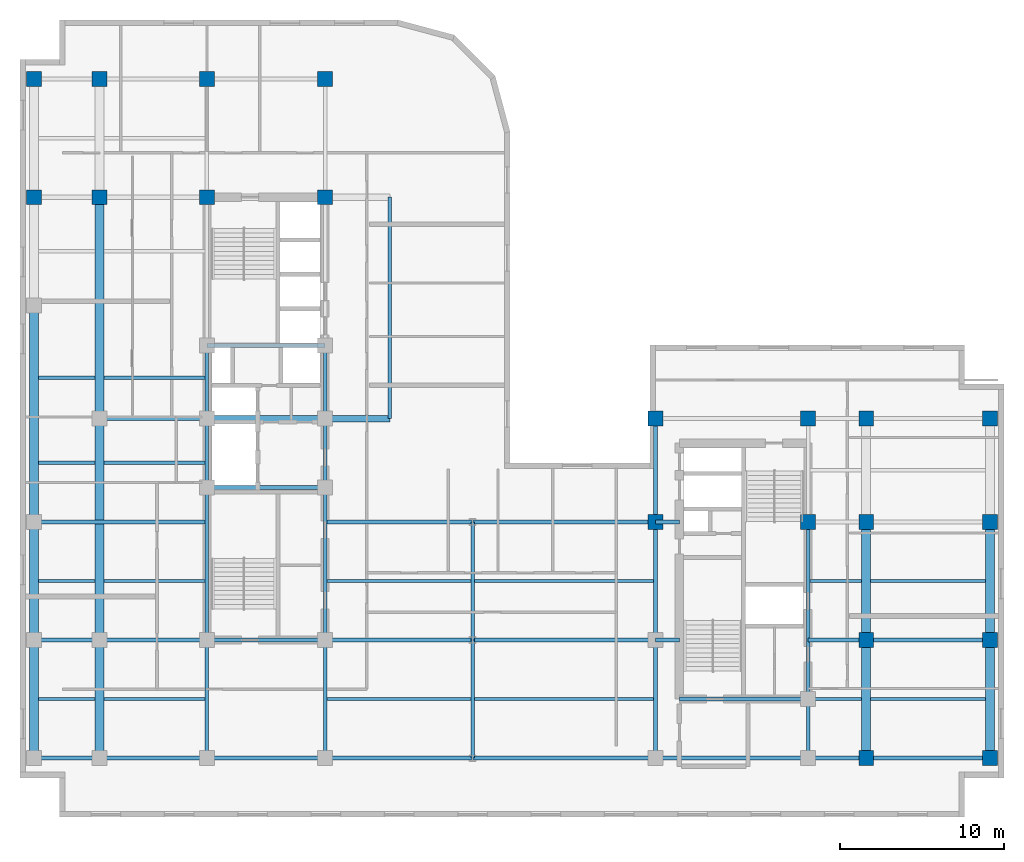
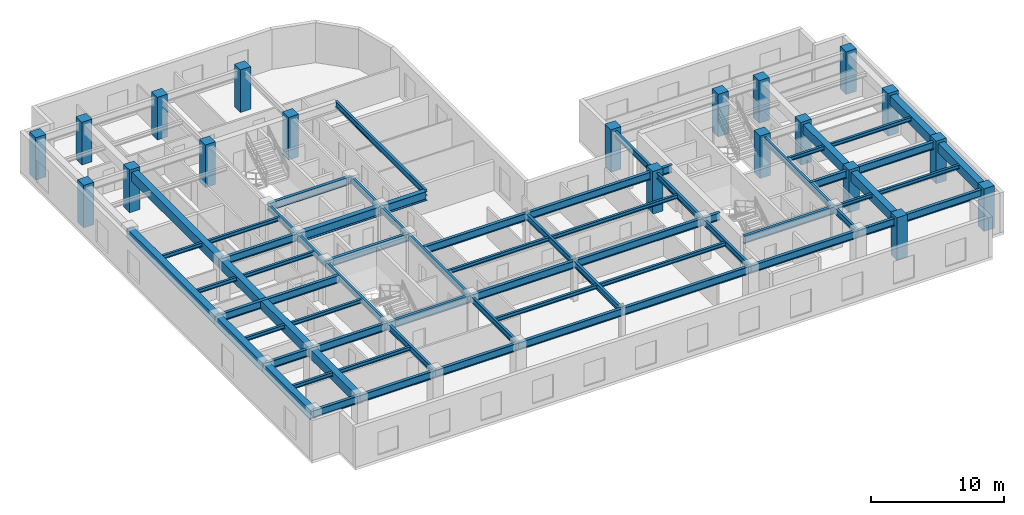
# One storey, part 2 of 11: 67 beams, 20 columns.
"""IFC4 building model written with IfcOpenShell, lengths in metres."""

from ifc_helpers import new_model, entity, si_unit, converted_unit, direction, frame, origin_with_axes, origin_2d_with_axis, place, context, subcontext, project, spatial, rectangle, i_section, extrude, material, material_profile, profile_set, type_object, element, save


model = new_model("IFC4")

# Units and contexts
model_context = context("Model", 3, precision=1e-05, world=origin_with_axes(), true_north=direction((0.0, 1.0)))
body_context = subcontext(model_context, "Body", "Model", "MODEL_VIEW")
ifc_project = project(units=[si_unit("LENGTHUNIT", "METRE"), si_unit("AREAUNIT", "SQUARE_METRE"), si_unit("VOLUMEUNIT", "CUBIC_METRE"), converted_unit("PLANEANGLEUNIT", "DEGREE", entity("IfcPlaneAngleMeasure", 0.017453292519943295), si_unit("PLANEANGLEUNIT", "RADIAN"), dimensions=[0, 0, 0, 0, 0, 0, 0]), si_unit("MASSUNIT", "GRAM", prefix="KILO"), si_unit("THERMODYNAMICTEMPERATUREUNIT", "KELVIN")], contexts=[model_context])

# Site, building, storey
site_placement = place(None, origin_with_axes())
site = spatial("IfcSite", under=ifc_project, at=site_placement, CompositionType="ELEMENT")
building_placement = place(site_placement, origin_with_axes())
building = spatial("IfcBuilding", under=site, at=building_placement, Name="Varnlund Millrace Tower", CompositionType="ELEMENT")
storey_placement = place(building_placement, frame((0.0, 0.0, 204.3), z_axis=(0.0, 0.0, 1.0), x_axis=(1.0, 0.0, 0.0)))
storey = spatial("IfcBuildingStorey", under=building, at=storey_placement, Name="L50", CompositionType="ELEMENT", Elevation=204.3)

# Columns
ifc_material_1 = material(Name="Concrete C70/85", Category="concrete")
ifc_material_profile_1 = material_profile(ifc_material_1, rectangle(XDim=0.9, YDim=0.9, at=origin_2d_with_axis()), Name="Concrete C70/85")
ifc_profile_set_1 = profile_set([ifc_material_profile_1], Name="Concrete C70/85")
column_type = type_object("IfcColumnType", Name="Type-Col-RC900-C70", PredefinedType="COLUMN", material=ifc_profile_set_1)
for number, where, z_axis, x_axis, name in (
    (1, (11.4, 37.8, 0.0), (0.0, 0.0, 1.0), (1.0, 0.0, 0.0), "Type-Col-RC900-C70"),
    (2, (11.4, 45.0, 0.0), (0.0, 0.0, 1.0), (1.0, 0.0, 0.0), "Type-Col-RC900-C70"),
    (3, (18.6, 37.8, 0.0), (0.0, 0.0, 1.0), (1.0, 0.0, 0.0), "Type-Col-RC900-C70"),
    (4, (18.6, 45.0, 0.0), (0.0, 0.0, 1.0), (1.0, 0.0, 0.0), "Type-Col-RC900-C70"),
    (5, (4.85, 37.8, 0.0), (0.0, 0.0, 1.0), (1.0, 0.0, 0.0), "Type-Col-RC900-C70"),
    (6, (4.85, 45.0, 0.0), (0.0, 0.0, 1.0), (1.0, 0.0, 0.0), "Type-Col-RC900-C70"),
    (7, (0.85, 37.8, 0.0), (0.0, 0.0, 1.0), (1.0, 0.0, 0.0), "Type-Col-RC900-C70"),
    (8, (0.85, 45.0, 0.0), (0.0, 0.0, 1.0), (1.0, 0.0, 0.0), "Type-Col-RC900-C70"),
    (9, (38.75, 18.0, 0.0), (0.0, 0.0, 1.0), (1.0, 0.0, 0.0), "Type-Col-RC900-C70"),
    (10, (38.75, 24.3, 0.0), (0.0, 0.0, 1.0), (1.0, 0.0, 0.0), "Type-Col-RC900-C70"),
    (11, (48.05, 18.0, 0.0), (0.0, 0.0, 1.0), (1.0, 0.0, 0.0), "Type-Col-RC900-C70"),
    (12, (48.05, 24.3, 0.0), (0.0, 0.0, 1.0), (1.0, 0.0, 0.0), "Type-Col-RC900-C70"),
    (13, (51.6, 3.6, 0.0), (0.0, 0.0, 1.0), (1.0, 0.0, 0.0), "Type-Col-RC900-C70"),
    (14, (51.6, 10.8, 0.0), (0.0, 0.0, 1.0), (1.0, 0.0, 0.0), "Type-Col-RC900-C70"),
    (15, (51.6, 18.0, 0.0), (0.0, 0.0, 1.0), (1.0, 0.0, 0.0), "Type-Col-RC900-C70"),
    (16, (51.6, 24.3, 0.0), (0.0, 0.0, 1.0), (1.0, 0.0, 0.0), "Type-Col-RC900-C70"),
    (17, (59.15, 3.6, 0.0), (0.0, 0.0, 1.0), (1.0, 0.0, 0.0), "Type-Col-RC900-C70"),
    (18, (59.15, 10.8, 0.0), (0.0, 0.0, 1.0), (1.0, 0.0, 0.0), "Type-Col-RC900-C70"),
    (19, (59.15, 18.0, 0.0), (0.0, 0.0, 1.0), (1.0, 0.0, 0.0), "Type-Col-RC900-C70"),
    (20, (59.15, 24.3, 0.0), (0.0, 0.0, 1.0), (1.0, 0.0, 0.0), "Type-Col-RC900-C70"),
):
    element("IfcColumn", number, at=place(storey_placement, frame(where, z_axis=z_axis, x_axis=x_axis)), inside=storey, type_object=column_type, Name=name, PredefinedType="COLUMN", context=body_context, shape_type="SweptSolid", body=[
        extrude(rectangle(XDim=0.9, YDim=0.9, at=origin_2d_with_axis()), origin_with_axes(), (0.0, 0.0, 1.0), 3.9),
    ])

# Beams
ifc_material_2 = material(Name="Steel ASTM A992 Grade 50", Category="steel")
ifc_material_profile_2 = material_profile(ifc_material_2, i_section(OverallWidth=0.209, OverallDepth=0.533, WebThickness=0.0102, FlangeThickness=0.0156, FilletRadius=0.014, at=origin_2d_with_axis()), Name="Steel ASTM A992 Grade 50")
ifc_profile_set_2 = profile_set([ifc_material_profile_2], Name="Steel ASTM A992 Grade 50")
beam_type_1 = type_object("IfcBeamType", Name="Type-Beam-W21X62", PredefinedType="BEAM", material=ifc_profile_set_2)
beam_1_placement = place(storey_placement, frame((22.55, 24.3, 3.3935), z_axis=(0.0, 1.0, 0.0), x_axis=(-1.0, 0.0, 0.0)))
element("IfcBeam", 21, at=beam_1_placement, inside=storey, type_object=beam_type_1, Name="Type-Beam-W21X62", PredefinedType="BEAM", context=body_context, shape_type="SweptSolid", body=[
    extrude(i_section(OverallWidth=0.209, OverallDepth=0.533, WebThickness=0.0102, FlangeThickness=0.0156, FilletRadius=0.014, at=origin_2d_with_axis()), origin_with_axes(), (0.0, 0.0, 1.0), 13.5),
])
ifc_material_profile_3 = material_profile(ifc_material_2, i_section(OverallWidth=0.214, OverallDepth=0.549, WebThickness=0.0147, FlangeThickness=0.0236, FilletRadius=0.015, at=origin_2d_with_axis()), Name="Steel ASTM A992 Grade 50")
ifc_profile_set_3 = profile_set([ifc_material_profile_3], Name="Steel ASTM A992 Grade 50")
beam_type_2 = type_object("IfcBeamType", Name="Type-Beam-W21X93", PredefinedType="BEAM", material=ifc_profile_set_3)
beam_2_placement = place(storey_placement, frame((11.4, 3.6, 3.3855), z_axis=(0.0, 1.0, 0.0), x_axis=(-1.0, 0.0, 0.0)))
element("IfcBeam", 22, at=beam_2_placement, inside=storey, type_object=beam_type_2, Name="Type-Beam-W21X93", PredefinedType="BEAM", context=body_context, shape_type="SweptSolid", body=[
    extrude(i_section(OverallWidth=0.214, OverallDepth=0.549, WebThickness=0.0147, FlangeThickness=0.0236, FilletRadius=0.015, at=origin_2d_with_axis()), origin_with_axes(), (0.0, 0.0, 1.0), 7.2),
])
beam_3_placement = place(storey_placement, frame((11.4, 10.8, 3.3855), z_axis=(0.0, 1.0, 0.0), x_axis=(-1.0, 0.0, 0.0)))
element("IfcBeam", 23, at=beam_3_placement, inside=storey, type_object=beam_type_2, Name="Type-Beam-W21X93", PredefinedType="BEAM", context=body_context, shape_type="SweptSolid", body=[
    extrude(i_section(OverallWidth=0.214, OverallDepth=0.549, WebThickness=0.0147, FlangeThickness=0.0236, FilletRadius=0.015, at=origin_2d_with_axis()), origin_with_axes(), (0.0, 0.0, 1.0), 9.3),
])
beam_4_placement = place(storey_placement, frame((11.4, 20.1, 3.3855), z_axis=(0.0, 1.0, 0.0), x_axis=(-1.0, 0.0, 0.0)))
element("IfcBeam", 24, at=beam_4_placement, inside=storey, type_object=beam_type_2, Name="Type-Beam-W21X93", PredefinedType="BEAM", context=body_context, shape_type="SweptSolid", body=[
    extrude(i_section(OverallWidth=0.214, OverallDepth=0.549, WebThickness=0.0147, FlangeThickness=0.0236, FilletRadius=0.015, at=origin_2d_with_axis()), origin_with_axes(), (0.0, 0.0, 1.0), 4.2),
])
beam_5_placement = place(storey_placement, frame((11.4, 24.3, 3.3855), z_axis=(0.0, 1.0, 0.0), x_axis=(-1.0, 0.0, 0.0)))
element("IfcBeam", 25, at=beam_5_placement, inside=storey, type_object=beam_type_2, Name="Type-Beam-W21X93", PredefinedType="BEAM", context=body_context, shape_type="SweptSolid", body=[
    extrude(i_section(OverallWidth=0.214, OverallDepth=0.549, WebThickness=0.0147, FlangeThickness=0.0236, FilletRadius=0.015, at=origin_2d_with_axis()), origin_with_axes(), (0.0, 0.0, 1.0), 4.45),
])
beam_6_placement = place(storey_placement, frame((18.6, 3.6, 3.3855), z_axis=(0.0, 1.0, 0.0), x_axis=(-1.0, 0.0, 0.0)))
element("IfcBeam", 26, at=beam_6_placement, inside=storey, type_object=beam_type_2, Name="Type-Beam-W21X93", PredefinedType="BEAM", context=body_context, shape_type="SweptSolid", body=[
    extrude(i_section(OverallWidth=0.214, OverallDepth=0.549, WebThickness=0.0147, FlangeThickness=0.0236, FilletRadius=0.015, at=origin_2d_with_axis()), origin_with_axes(), (0.0, 0.0, 1.0), 7.2),
])
beam_7_placement = place(storey_placement, frame((18.6, 10.8, 3.3855), z_axis=(0.0, 1.0, 0.0), x_axis=(-1.0, 0.0, 0.0)))
element("IfcBeam", 27, at=beam_7_placement, inside=storey, type_object=beam_type_2, Name="Type-Beam-W21X93", PredefinedType="BEAM", context=body_context, shape_type="SweptSolid", body=[
    extrude(i_section(OverallWidth=0.214, OverallDepth=0.549, WebThickness=0.0147, FlangeThickness=0.0236, FilletRadius=0.015, at=origin_2d_with_axis()), origin_with_axes(), (0.0, 0.0, 1.0), 9.3),
])
beam_8_placement = place(storey_placement, frame((18.6, 20.1, 3.3855), z_axis=(0.0, 1.0, 0.0), x_axis=(-1.0, 0.0, 0.0)))
element("IfcBeam", 28, at=beam_8_placement, inside=storey, type_object=beam_type_2, Name="Type-Beam-W21X93", PredefinedType="BEAM", context=body_context, shape_type="SweptSolid", body=[
    extrude(i_section(OverallWidth=0.214, OverallDepth=0.549, WebThickness=0.0147, FlangeThickness=0.0236, FilletRadius=0.015, at=origin_2d_with_axis()), origin_with_axes(), (0.0, 0.0, 1.0), 4.2),
])
beam_9_placement = place(storey_placement, frame((18.6, 24.3, 3.3855), z_axis=(0.0, 1.0, 0.0), x_axis=(-1.0, 0.0, 0.0)))
element("IfcBeam", 29, at=beam_9_placement, inside=storey, type_object=beam_type_2, Name="Type-Beam-W21X93", PredefinedType="BEAM", context=body_context, shape_type="SweptSolid", body=[
    extrude(i_section(OverallWidth=0.214, OverallDepth=0.549, WebThickness=0.0147, FlangeThickness=0.0236, FilletRadius=0.015, at=origin_2d_with_axis()), origin_with_axes(), (0.0, 0.0, 1.0), 4.45),
])
for number, where, z_axis, x_axis, name in (
    (30, (27.6, 3.6, 3.3855), (0.0, 1.0, 0.0), (-1.0, 0.0, 0.0), "Type-Beam-W21X93"),
    (31, (27.6, 10.8, 3.3855), (0.0, 1.0, 0.0), (-1.0, 0.0, 0.0), "Type-Beam-W21X93"),
    (32, (38.75, 3.6, 3.3855), (0.0, 1.0, 0.0), (-1.0, 0.0, 0.0), "Type-Beam-W21X93"),
    (33, (38.75, 10.8, 3.3855), (0.0, 1.0, 0.0), (-1.0, 0.0, 0.0), "Type-Beam-W21X93"),
):
    element("IfcBeam", number, at=place(storey_placement, frame(where, z_axis=z_axis, x_axis=x_axis)), inside=storey, type_object=beam_type_2, Name=name, PredefinedType="BEAM", context=body_context, shape_type="SweptSolid", body=[
        extrude(i_section(OverallWidth=0.214, OverallDepth=0.549, WebThickness=0.0147, FlangeThickness=0.0236, FilletRadius=0.015, at=origin_2d_with_axis()), origin_with_axes(), (0.0, 0.0, 1.0), 7.2),
    ])
beam_10_placement = place(storey_placement, frame((38.75, 18.0, 3.3855), z_axis=(0.0, 1.0, 0.0), x_axis=(-1.0, 0.0, 0.0)))
element("IfcBeam", 34, at=beam_10_placement, inside=storey, type_object=beam_type_2, Name="Type-Beam-W21X93", PredefinedType="BEAM", context=body_context, shape_type="SweptSolid", body=[
    extrude(i_section(OverallWidth=0.214, OverallDepth=0.549, WebThickness=0.0147, FlangeThickness=0.0236, FilletRadius=0.015, at=origin_2d_with_axis()), origin_with_axes(), (0.0, 0.0, 1.0), 6.3),
])
beam_11_placement = place(storey_placement, frame((48.05, 3.6, 3.3855), z_axis=(0.0, 1.0, 0.0), x_axis=(-1.0, 0.0, 0.0)))
element("IfcBeam", 35, at=beam_11_placement, inside=storey, type_object=beam_type_2, Name="Type-Beam-W21X93", PredefinedType="BEAM", context=body_context, shape_type="SweptSolid", body=[
    extrude(i_section(OverallWidth=0.214, OverallDepth=0.549, WebThickness=0.0147, FlangeThickness=0.0236, FilletRadius=0.015, at=origin_2d_with_axis()), origin_with_axes(), (0.0, 0.0, 1.0), 3.6),
])
beam_12_placement = place(storey_placement, frame((48.05, 7.2, 3.3855), z_axis=(0.0, 1.0, 0.0), x_axis=(-1.0, 0.0, 0.0)))
element("IfcBeam", 36, at=beam_12_placement, inside=storey, type_object=beam_type_2, Name="Type-Beam-W21X93", PredefinedType="BEAM", context=body_context, shape_type="SweptSolid", body=[
    extrude(i_section(OverallWidth=0.214, OverallDepth=0.549, WebThickness=0.0147, FlangeThickness=0.0236, FilletRadius=0.015, at=origin_2d_with_axis()), origin_with_axes(), (0.0, 0.0, 1.0), 10.8),
])
ifc_material_profile_4 = material_profile(ifc_material_2, i_section(OverallWidth=0.256, OverallDepth=0.693, WebThickness=0.0145, FlangeThickness=0.0236, FilletRadius=0.018, at=origin_2d_with_axis()), Name="Steel ASTM A992 Grade 50")
ifc_profile_set_4 = profile_set([ifc_material_profile_4], Name="Steel ASTM A992 Grade 50")
beam_type_3 = type_object("IfcBeamType", Name="Type-Girder-W27X114", PredefinedType="USERDEFINED", material=ifc_profile_set_4)
beam_13_placement = place(storey_placement, frame((0.85, 3.6, 3.3135), z_axis=(1.0, 0.0, 0.0), x_axis=(0.0, 1.0, 0.0)))
element("IfcBeam", 37, at=beam_13_placement, inside=storey, type_object=beam_type_3, Name="Type-Girder-W27X114", ObjectType="GIRDER", PredefinedType="USERDEFINED", context=body_context, shape_type="SweptSolid", body=[
    extrude(i_section(OverallWidth=0.256, OverallDepth=0.693, WebThickness=0.0145, FlangeThickness=0.0236, FilletRadius=0.018, at=origin_2d_with_axis()), origin_with_axes(), (0.0, 0.0, 1.0), 4.0),
])
beam_14_placement = place(storey_placement, frame((4.85, 3.6, 3.3135), z_axis=(1.0, 0.0, 0.0), x_axis=(0.0, 1.0, 0.0)))
element("IfcBeam", 38, at=beam_14_placement, inside=storey, type_object=beam_type_3, Name="Type-Girder-W27X114", ObjectType="GIRDER", PredefinedType="USERDEFINED", context=body_context, shape_type="SweptSolid", body=[
    extrude(i_section(OverallWidth=0.256, OverallDepth=0.693, WebThickness=0.0145, FlangeThickness=0.0236, FilletRadius=0.018, at=origin_2d_with_axis()), origin_with_axes(), (0.0, 0.0, 1.0), 6.55),
])
beam_15_placement = place(storey_placement, frame((11.4, 3.6, 3.3135), z_axis=(1.0, 0.0, 0.0), x_axis=(0.0, 1.0, 0.0)))
element("IfcBeam", 39, at=beam_15_placement, inside=storey, type_object=beam_type_3, Name="Type-Girder-W27X114", ObjectType="GIRDER", PredefinedType="USERDEFINED", context=body_context, shape_type="SweptSolid", body=[
    extrude(i_section(OverallWidth=0.256, OverallDepth=0.693, WebThickness=0.0145, FlangeThickness=0.0236, FilletRadius=0.018, at=origin_2d_with_axis()), origin_with_axes(), (0.0, 0.0, 1.0), 7.2),
])
beam_16_placement = place(storey_placement, frame((18.6, 3.6, 3.3135), z_axis=(1.0, 0.0, 0.0), x_axis=(0.0, 1.0, 0.0)))
element("IfcBeam", 40, at=beam_16_placement, inside=storey, type_object=beam_type_3, Name="Type-Girder-W27X114", ObjectType="GIRDER", PredefinedType="USERDEFINED", context=body_context, shape_type="SweptSolid", body=[
    extrude(i_section(OverallWidth=0.256, OverallDepth=0.693, WebThickness=0.0145, FlangeThickness=0.0236, FilletRadius=0.018, at=origin_2d_with_axis()), origin_with_axes(), (0.0, 0.0, 1.0), 9.0),
])
beam_17_placement = place(storey_placement, frame((27.6, 3.6, 3.3135), z_axis=(1.0, 0.0, 0.0), x_axis=(0.0, 1.0, 0.0)))
element("IfcBeam", 41, at=beam_17_placement, inside=storey, type_object=beam_type_3, Name="Type-Girder-W27X114", ObjectType="GIRDER", PredefinedType="USERDEFINED", context=body_context, shape_type="SweptSolid", body=[
    extrude(i_section(OverallWidth=0.256, OverallDepth=0.693, WebThickness=0.0145, FlangeThickness=0.0236, FilletRadius=0.018, at=origin_2d_with_axis()), origin_with_axes(), (0.0, 0.0, 1.0), 11.15),
])
beam_18_placement = place(storey_placement, frame((38.75, 3.6, 3.3135), z_axis=(1.0, 0.0, 0.0), x_axis=(0.0, 1.0, 0.0)))
element("IfcBeam", 42, at=beam_18_placement, inside=storey, type_object=beam_type_3, Name="Type-Girder-W27X114", ObjectType="GIRDER", PredefinedType="USERDEFINED", context=body_context, shape_type="SweptSolid", body=[
    extrude(i_section(OverallWidth=0.256, OverallDepth=0.693, WebThickness=0.0145, FlangeThickness=0.0236, FilletRadius=0.018, at=origin_2d_with_axis()), origin_with_axes(), (0.0, 0.0, 1.0), 9.3),
])
beam_19_placement = place(storey_placement, frame((48.05, 3.6, 3.3135), z_axis=(1.0, 0.0, 0.0), x_axis=(0.0, 1.0, 0.0)))
element("IfcBeam", 43, at=beam_19_placement, inside=storey, type_object=beam_type_3, Name="Type-Girder-W27X114", ObjectType="GIRDER", PredefinedType="USERDEFINED", context=body_context, shape_type="SweptSolid", body=[
    extrude(i_section(OverallWidth=0.256, OverallDepth=0.693, WebThickness=0.0145, FlangeThickness=0.0236, FilletRadius=0.018, at=origin_2d_with_axis()), origin_with_axes(), (0.0, 0.0, 1.0), 3.55),
])
beam_20_placement = place(storey_placement, frame((51.6, 3.6, 3.3135), z_axis=(1.0, 0.0, 0.0), x_axis=(0.0, 1.0, 0.0)))
element("IfcBeam", 44, at=beam_20_placement, inside=storey, type_object=beam_type_3, Name="Type-Girder-W27X114", ObjectType="GIRDER", PredefinedType="USERDEFINED", context=body_context, shape_type="SweptSolid", body=[
    extrude(i_section(OverallWidth=0.256, OverallDepth=0.693, WebThickness=0.0145, FlangeThickness=0.0236, FilletRadius=0.018, at=origin_2d_with_axis()), origin_with_axes(), (0.0, 0.0, 1.0), 7.55),
])
beam_21_placement = place(storey_placement, frame((40.2, 7.2, 3.3135), z_axis=(1.0, 0.0, 0.0), x_axis=(0.0, 1.0, 0.0)))
element("IfcBeam", 45, at=beam_21_placement, inside=storey, type_object=beam_type_3, Name="Type-Girder-W27X114", ObjectType="GIRDER", PredefinedType="USERDEFINED", context=body_context, shape_type="SweptSolid", body=[
    extrude(i_section(OverallWidth=0.256, OverallDepth=0.693, WebThickness=0.0145, FlangeThickness=0.0236, FilletRadius=0.018, at=origin_2d_with_axis()), origin_with_axes(), (0.0, 0.0, 1.0), 7.85),
])
beam_22_placement = place(storey_placement, frame((0.85, 10.8, 3.3135), z_axis=(1.0, 0.0, 0.0), x_axis=(0.0, 1.0, 0.0)))
element("IfcBeam", 46, at=beam_22_placement, inside=storey, type_object=beam_type_3, Name="Type-Girder-W27X114", ObjectType="GIRDER", PredefinedType="USERDEFINED", context=body_context, shape_type="SweptSolid", body=[
    extrude(i_section(OverallWidth=0.256, OverallDepth=0.693, WebThickness=0.0145, FlangeThickness=0.0236, FilletRadius=0.018, at=origin_2d_with_axis()), origin_with_axes(), (0.0, 0.0, 1.0), 4.0),
])
beam_23_placement = place(storey_placement, frame((4.85, 10.8, 3.3135), z_axis=(1.0, 0.0, 0.0), x_axis=(0.0, 1.0, 0.0)))
element("IfcBeam", 47, at=beam_23_placement, inside=storey, type_object=beam_type_3, Name="Type-Girder-W27X114", ObjectType="GIRDER", PredefinedType="USERDEFINED", context=body_context, shape_type="SweptSolid", body=[
    extrude(i_section(OverallWidth=0.256, OverallDepth=0.693, WebThickness=0.0145, FlangeThickness=0.0236, FilletRadius=0.018, at=origin_2d_with_axis()), origin_with_axes(), (0.0, 0.0, 1.0), 6.55),
])
beam_24_placement = place(storey_placement, frame((11.4, 10.8, 3.3135), z_axis=(1.0, 0.0, 0.0), x_axis=(0.0, 1.0, 0.0)))
element("IfcBeam", 48, at=beam_24_placement, inside=storey, type_object=beam_type_3, Name="Type-Girder-W27X114", ObjectType="GIRDER", PredefinedType="USERDEFINED", context=body_context, shape_type="SweptSolid", body=[
    extrude(i_section(OverallWidth=0.256, OverallDepth=0.693, WebThickness=0.0145, FlangeThickness=0.0236, FilletRadius=0.018, at=origin_2d_with_axis()), origin_with_axes(), (0.0, 0.0, 1.0), 7.2),
])
beam_25_placement = place(storey_placement, frame((18.6, 10.8, 3.3135), z_axis=(1.0, 0.0, 0.0), x_axis=(0.0, 1.0, 0.0)))
element("IfcBeam", 49, at=beam_25_placement, inside=storey, type_object=beam_type_3, Name="Type-Girder-W27X114", ObjectType="GIRDER", PredefinedType="USERDEFINED", context=body_context, shape_type="SweptSolid", body=[
    extrude(i_section(OverallWidth=0.256, OverallDepth=0.693, WebThickness=0.0145, FlangeThickness=0.0236, FilletRadius=0.018, at=origin_2d_with_axis()), origin_with_axes(), (0.0, 0.0, 1.0), 9.0),
])
beam_26_placement = place(storey_placement, frame((27.6, 10.8, 3.3135), z_axis=(1.0, 0.0, 0.0), x_axis=(0.0, 1.0, 0.0)))
element("IfcBeam", 50, at=beam_26_placement, inside=storey, type_object=beam_type_3, Name="Type-Girder-W27X114", ObjectType="GIRDER", PredefinedType="USERDEFINED", context=body_context, shape_type="SweptSolid", body=[
    extrude(i_section(OverallWidth=0.256, OverallDepth=0.693, WebThickness=0.0145, FlangeThickness=0.0236, FilletRadius=0.018, at=origin_2d_with_axis()), origin_with_axes(), (0.0, 0.0, 1.0), 11.15),
])
beam_27_placement = place(storey_placement, frame((38.75, 10.8, 3.3135), z_axis=(1.0, 0.0, 0.0), x_axis=(0.0, 1.0, 0.0)))
element("IfcBeam", 51, at=beam_27_placement, inside=storey, type_object=beam_type_3, Name="Type-Girder-W27X114", ObjectType="GIRDER", PredefinedType="USERDEFINED", context=body_context, shape_type="SweptSolid", body=[
    extrude(i_section(OverallWidth=0.256, OverallDepth=0.693, WebThickness=0.0145, FlangeThickness=0.0236, FilletRadius=0.018, at=origin_2d_with_axis()), origin_with_axes(), (0.0, 0.0, 1.0), 1.45),
])
beam_28_placement = place(storey_placement, frame((48.05, 10.8, 3.3135), z_axis=(1.0, 0.0, 0.0), x_axis=(0.0, 1.0, 0.0)))
element("IfcBeam", 52, at=beam_28_placement, inside=storey, type_object=beam_type_3, Name="Type-Girder-W27X114", ObjectType="GIRDER", PredefinedType="USERDEFINED", context=body_context, shape_type="SweptSolid", body=[
    extrude(i_section(OverallWidth=0.256, OverallDepth=0.693, WebThickness=0.0145, FlangeThickness=0.0236, FilletRadius=0.018, at=origin_2d_with_axis()), origin_with_axes(), (0.0, 0.0, 1.0), 3.55),
])
beam_29_placement = place(storey_placement, frame((51.6, 10.8, 3.3135), z_axis=(1.0, 0.0, 0.0), x_axis=(0.0, 1.0, 0.0)))
element("IfcBeam", 53, at=beam_29_placement, inside=storey, type_object=beam_type_3, Name="Type-Girder-W27X114", ObjectType="GIRDER", PredefinedType="USERDEFINED", context=body_context, shape_type="SweptSolid", body=[
    extrude(i_section(OverallWidth=0.256, OverallDepth=0.693, WebThickness=0.0145, FlangeThickness=0.0236, FilletRadius=0.018, at=origin_2d_with_axis()), origin_with_axes(), (0.0, 0.0, 1.0), 7.55),
])
beam_30_placement = place(storey_placement, frame((0.85, 18.0, 3.3135), z_axis=(1.0, 0.0, 0.0), x_axis=(0.0, 1.0, 0.0)))
element("IfcBeam", 54, at=beam_30_placement, inside=storey, type_object=beam_type_3, Name="Type-Girder-W27X114", ObjectType="GIRDER", PredefinedType="USERDEFINED", context=body_context, shape_type="SweptSolid", body=[
    extrude(i_section(OverallWidth=0.256, OverallDepth=0.693, WebThickness=0.0145, FlangeThickness=0.0236, FilletRadius=0.018, at=origin_2d_with_axis()), origin_with_axes(), (0.0, 0.0, 1.0), 10.55),
])
beam_31_placement = place(storey_placement, frame((18.6, 18.0, 3.3135), z_axis=(1.0, 0.0, 0.0), x_axis=(0.0, 1.0, 0.0)))
element("IfcBeam", 55, at=beam_31_placement, inside=storey, type_object=beam_type_3, Name="Type-Girder-W27X114", ObjectType="GIRDER", PredefinedType="USERDEFINED", context=body_context, shape_type="SweptSolid", body=[
    extrude(i_section(OverallWidth=0.256, OverallDepth=0.693, WebThickness=0.0145, FlangeThickness=0.0236, FilletRadius=0.018, at=origin_2d_with_axis()), origin_with_axes(), (0.0, 0.0, 1.0), 9.0),
])
beam_32_placement = place(storey_placement, frame((27.6, 18.0, 3.3135), z_axis=(1.0, 0.0, 0.0), x_axis=(0.0, 1.0, 0.0)))
element("IfcBeam", 56, at=beam_32_placement, inside=storey, type_object=beam_type_3, Name="Type-Girder-W27X114", ObjectType="GIRDER", PredefinedType="USERDEFINED", context=body_context, shape_type="SweptSolid", body=[
    extrude(i_section(OverallWidth=0.256, OverallDepth=0.693, WebThickness=0.0145, FlangeThickness=0.0236, FilletRadius=0.018, at=origin_2d_with_axis()), origin_with_axes(), (0.0, 0.0, 1.0), 11.15),
])
beam_33_placement = place(storey_placement, frame((38.75, 18.0, 3.3135), z_axis=(1.0, 0.0, 0.0), x_axis=(0.0, 1.0, 0.0)))
element("IfcBeam", 57, at=beam_33_placement, inside=storey, type_object=beam_type_3, Name="Type-Girder-W27X114", ObjectType="GIRDER", PredefinedType="USERDEFINED", context=body_context, shape_type="SweptSolid", body=[
    extrude(i_section(OverallWidth=0.256, OverallDepth=0.693, WebThickness=0.0145, FlangeThickness=0.0236, FilletRadius=0.018, at=origin_2d_with_axis()), origin_with_axes(), (0.0, 0.0, 1.0), 1.45),
])
beam_34_placement = place(storey_placement, frame((11.4, 20.1, 3.3135), z_axis=(1.0, 0.0, 0.0), x_axis=(0.0, 1.0, 0.0)))
element("IfcBeam", 58, at=beam_34_placement, inside=storey, type_object=beam_type_3, Name="Type-Girder-W27X114", ObjectType="GIRDER", PredefinedType="USERDEFINED", context=body_context, shape_type="SweptSolid", body=[
    extrude(i_section(OverallWidth=0.256, OverallDepth=0.693, WebThickness=0.0145, FlangeThickness=0.0236, FilletRadius=0.018, at=origin_2d_with_axis()), origin_with_axes(), (0.0, 0.0, 1.0), 7.2),
])
beam_35_placement = place(storey_placement, frame((4.85, 24.3, 3.3135), z_axis=(1.0, 0.0, 0.0), x_axis=(0.0, 1.0, 0.0)))
element("IfcBeam", 59, at=beam_35_placement, inside=storey, type_object=beam_type_3, Name="Type-Girder-W27X114", ObjectType="GIRDER", PredefinedType="USERDEFINED", context=body_context, shape_type="SweptSolid", body=[
    extrude(i_section(OverallWidth=0.256, OverallDepth=0.693, WebThickness=0.0145, FlangeThickness=0.0236, FilletRadius=0.018, at=origin_2d_with_axis()), origin_with_axes(), (0.0, 0.0, 1.0), 6.55),
])
beam_36_placement = place(storey_placement, frame((11.4, 28.75, 3.3135), z_axis=(1.0, 0.0, 0.0), x_axis=(0.0, 1.0, 0.0)))
element("IfcBeam", 60, at=beam_36_placement, inside=storey, type_object=beam_type_3, Name="Type-Girder-W27X114", ObjectType="GIRDER", PredefinedType="USERDEFINED", context=body_context, shape_type="SweptSolid", body=[
    extrude(i_section(OverallWidth=0.256, OverallDepth=0.693, WebThickness=0.0145, FlangeThickness=0.0236, FilletRadius=0.018, at=origin_2d_with_axis()), origin_with_axes(), (0.0, 0.0, 1.0), 7.2),
])
ifc_material_profile_5 = material_profile(ifc_material_2, i_section(OverallWidth=0.399, OverallDepth=0.855, WebThickness=0.0182, FlangeThickness=0.0292, FilletRadius=0.022, at=origin_2d_with_axis()), Name="Steel ASTM A992 Grade 50")
ifc_profile_set_5 = profile_set([ifc_material_profile_5], Name="Steel ASTM A992 Grade 50")
beam_type_4 = type_object("IfcBeamType", Name="Type-Girder-W33X201", PredefinedType="USERDEFINED", material=ifc_profile_set_5)
beam_37_placement = place(storey_placement, frame((11.4, 24.3, 3.2325), z_axis=(1.0, 0.0, 0.0), x_axis=(0.0, 1.0, 0.0)))
element("IfcBeam", 61, at=beam_37_placement, inside=storey, type_object=beam_type_4, Name="Type-Girder-W33X201", ObjectType="GIRDER", PredefinedType="USERDEFINED", context=body_context, shape_type="SweptSolid", body=[
    extrude(i_section(OverallWidth=0.399, OverallDepth=0.855, WebThickness=0.0182, FlangeThickness=0.0292, FilletRadius=0.022, at=origin_2d_with_axis()), origin_with_axes(), (0.0, 0.0, 1.0), 11.15),
])
ifc_material_profile_6 = material_profile(ifc_material_2, i_section(OverallWidth=0.204, OverallDepth=0.35, WebThickness=0.0086, FlangeThickness=0.0151, FilletRadius=0.013, at=origin_2d_with_axis()), Name="Steel ASTM A992 Grade 50")
ifc_profile_set_6 = profile_set([ifc_material_profile_6], Name="Steel ASTM A992 Grade 50")
beam_type_5 = type_object("IfcBeamType", Name="Type-Joist-W14X48", PredefinedType="JOIST", material=ifc_profile_set_6)
for number, where, z_axis, x_axis, name in (
    (62, (1.125, 7.2, 3.485), (1.0, 0.0, 0.0), (0.0, 1.0, 0.0), "Type-Joist-W14X48"),
    (63, (1.125, 14.4, 3.485), (1.0, 0.0, 0.0), (0.0, 1.0, 0.0), "Type-Joist-W14X48"),
    (64, (1.125, 21.6, 3.485), (1.0, 0.0, 0.0), (0.0, 1.0, 0.0), "Type-Joist-W14X48"),
    (65, (1.125, 26.8, 3.485), (1.0, 0.0, 0.0), (0.0, 1.0, 0.0), "Type-Joist-W14X48"),
):
    element("IfcBeam", number, at=place(storey_placement, frame(where, z_axis=z_axis, x_axis=x_axis)), inside=storey, type_object=beam_type_5, Name=name, PredefinedType="JOIST", context=body_context, shape_type="SweptSolid", body=[
        extrude(i_section(OverallWidth=0.204, OverallDepth=0.35, WebThickness=0.0086, FlangeThickness=0.0151, FilletRadius=0.013, at=origin_2d_with_axis()), origin_with_axes(), (0.0, 0.0, 1.0), 3.45),
    ])
for number, where, z_axis, x_axis, name in (
    (66, (5.125, 7.2, 3.485), (1.0, 0.0, 0.0), (0.0, 1.0, 0.0), "Type-Joist-W14X48"),
    (67, (5.125, 14.4, 3.485), (1.0, 0.0, 0.0), (0.0, 1.0, 0.0), "Type-Joist-W14X48"),
    (68, (5.125, 21.6, 3.485), (1.0, 0.0, 0.0), (0.0, 1.0, 0.0), "Type-Joist-W14X48"),
    (69, (5.125, 26.8, 3.485), (1.0, 0.0, 0.0), (0.0, 1.0, 0.0), "Type-Joist-W14X48"),
):
    element("IfcBeam", number, at=place(storey_placement, frame(where, z_axis=z_axis, x_axis=x_axis)), inside=storey, type_object=beam_type_5, Name=name, PredefinedType="JOIST", context=body_context, shape_type="SweptSolid", body=[
        extrude(i_section(OverallWidth=0.204, OverallDepth=0.35, WebThickness=0.0086, FlangeThickness=0.0151, FilletRadius=0.013, at=origin_2d_with_axis()), origin_with_axes(), (0.0, 0.0, 1.0), 6.168),
    ])
for number, where, z_axis, x_axis, name in (
    (70, (48.157, 7.2, 3.485), (1.0, 0.0, 0.0), (0.0, 1.0, 0.0), "Type-Joist-W14X48"),
    (71, (48.157, 14.4, 3.485), (1.0, 0.0, 0.0), (0.0, 1.0, 0.0), "Type-Joist-W14X48"),
):
    element("IfcBeam", number, at=place(storey_placement, frame(where, z_axis=z_axis, x_axis=x_axis)), inside=storey, type_object=beam_type_5, Name=name, PredefinedType="JOIST", context=body_context, shape_type="SweptSolid", body=[
        extrude(i_section(OverallWidth=0.204, OverallDepth=0.35, WebThickness=0.0086, FlangeThickness=0.0151, FilletRadius=0.013, at=origin_2d_with_axis()), origin_with_axes(), (0.0, 0.0, 1.0), 3.168),
    ])
for number, where, z_axis, x_axis, name in (
    (72, (51.875, 7.2, 3.485), (1.0, 0.0, 0.0), (0.0, 1.0, 0.0), "Type-Joist-W14X48"),
    (73, (51.875, 14.4, 3.485), (1.0, 0.0, 0.0), (0.0, 1.0, 0.0), "Type-Joist-W14X48"),
):
    element("IfcBeam", number, at=place(storey_placement, frame(where, z_axis=z_axis, x_axis=x_axis)), inside=storey, type_object=beam_type_5, Name=name, PredefinedType="JOIST", context=body_context, shape_type="SweptSolid", body=[
        extrude(i_section(OverallWidth=0.204, OverallDepth=0.35, WebThickness=0.0086, FlangeThickness=0.0151, FilletRadius=0.013, at=origin_2d_with_axis()), origin_with_axes(), (0.0, 0.0, 1.0), 7.0),
    ])
for number, where, z_axis, x_axis, name in (
    (74, (18.707, 7.2, 3.485), (1.0, 0.0, 0.0), (0.0, 1.0, 0.0), "Type-Joist-W14X48"),
    (75, (18.707, 14.4, 3.485), (1.0, 0.0, 0.0), (0.0, 1.0, 0.0), "Type-Joist-W14X48"),
):
    element("IfcBeam", number, at=place(storey_placement, frame(where, z_axis=z_axis, x_axis=x_axis)), inside=storey, type_object=beam_type_5, Name=name, PredefinedType="JOIST", context=body_context, shape_type="SweptSolid", body=[
        extrude(i_section(OverallWidth=0.204, OverallDepth=0.35, WebThickness=0.0086, FlangeThickness=0.0151, FilletRadius=0.013, at=origin_2d_with_axis()), origin_with_axes(), (0.0, 0.0, 1.0), 8.786),
    ])
for number, where, z_axis, x_axis, name in (
    (76, (27.707, 7.2, 3.485), (1.0, 0.0, 0.0), (0.0, 1.0, 0.0), "Type-Joist-W14X48"),
    (77, (27.707, 14.4, 3.485), (1.0, 0.0, 0.0), (0.0, 1.0, 0.0), "Type-Joist-W14X48"),
):
    element("IfcBeam", number, at=place(storey_placement, frame(where, z_axis=z_axis, x_axis=x_axis)), inside=storey, type_object=beam_type_5, Name=name, PredefinedType="JOIST", context=body_context, shape_type="SweptSolid", body=[
        extrude(i_section(OverallWidth=0.204, OverallDepth=0.35, WebThickness=0.0086, FlangeThickness=0.0151, FilletRadius=0.013, at=origin_2d_with_axis()), origin_with_axes(), (0.0, 0.0, 1.0), 10.936),
    ])
ifc_material_3 = material(Name="Concrete C60/75", Category="concrete")
ifc_material_profile_7 = material_profile(ifc_material_3, rectangle(XDim=0.55, YDim=0.85, at=origin_2d_with_axis()), Name="Concrete C60/75")
ifc_profile_set_7 = profile_set([ifc_material_profile_7], Name="Concrete C60/75")
beam_type_6 = type_object("IfcBeamType", Name="Type-Spandrel-RC550X850", PredefinedType="SPANDREL", material=ifc_profile_set_7)
for number, where, z_axis, x_axis, name in (
    (78, (0.85, 3.6, 3.235), (0.0, 1.0, 0.0), (-1.0, 0.0, 0.0), "Type-Spandrel-RC550X850"),
    (79, (0.85, 10.8, 3.235), (0.0, 1.0, 0.0), (-1.0, 0.0, 0.0), "Type-Spandrel-RC550X850"),
):
    element("IfcBeam", number, at=place(storey_placement, frame(where, z_axis=z_axis, x_axis=x_axis)), inside=storey, type_object=beam_type_6, Name=name, PredefinedType="SPANDREL", context=body_context, shape_type="SweptSolid", body=[
        extrude(rectangle(XDim=0.55, YDim=0.85, at=origin_2d_with_axis()), origin_with_axes(), (0.0, 0.0, 1.0), 7.2),
    ])
beam_38_placement = place(storey_placement, frame((0.85, 18.0, 3.235), z_axis=(0.0, 1.0, 0.0), x_axis=(-1.0, 0.0, 0.0)))
element("IfcBeam", 80, at=beam_38_placement, inside=storey, type_object=beam_type_6, Name="Type-Spandrel-RC550X850", PredefinedType="SPANDREL", context=body_context, shape_type="SweptSolid", body=[
    extrude(rectangle(XDim=0.55, YDim=0.85, at=origin_2d_with_axis()), origin_with_axes(), (0.0, 0.0, 1.0), 13.2),
])
beam_39_placement = place(storey_placement, frame((4.85, 3.6, 3.235), z_axis=(0.0, 1.0, 0.0), x_axis=(-1.0, 0.0, 0.0)))
element("IfcBeam", 81, at=beam_39_placement, inside=storey, type_object=beam_type_6, Name="Type-Spandrel-RC550X850", PredefinedType="SPANDREL", context=body_context, shape_type="SweptSolid", body=[
    extrude(rectangle(XDim=0.55, YDim=0.85, at=origin_2d_with_axis()), origin_with_axes(), (0.0, 0.0, 1.0), 7.2),
])
for number, where, z_axis, x_axis, name in (
    (82, (4.85, 10.8, 3.235), (0.0, 1.0, 0.0), (-1.0, 0.0, 0.0), "Type-Spandrel-RC550X850"),
    (83, (4.85, 24.3, 3.235), (0.0, 1.0, 0.0), (-1.0, 0.0, 0.0), "Type-Spandrel-RC550X850"),
):
    element("IfcBeam", number, at=place(storey_placement, frame(where, z_axis=z_axis, x_axis=x_axis)), inside=storey, type_object=beam_type_6, Name=name, PredefinedType="SPANDREL", context=body_context, shape_type="SweptSolid", body=[
        extrude(rectangle(XDim=0.55, YDim=0.85, at=origin_2d_with_axis()), origin_with_axes(), (0.0, 0.0, 1.0), 13.5),
    ])
for number, where, z_axis, x_axis, name in (
    (84, (51.6, 3.6, 3.235), (0.0, 1.0, 0.0), (-1.0, 0.0, 0.0), "Type-Spandrel-RC550X850"),
    (85, (51.6, 10.8, 3.235), (0.0, 1.0, 0.0), (-1.0, 0.0, 0.0), "Type-Spandrel-RC550X850"),
    (86, (59.15, 3.6, 3.235), (0.0, 1.0, 0.0), (-1.0, 0.0, 0.0), "Type-Spandrel-RC550X850"),
    (87, (59.15, 10.8, 3.235), (0.0, 1.0, 0.0), (-1.0, 0.0, 0.0), "Type-Spandrel-RC550X850"),
):
    element("IfcBeam", number, at=place(storey_placement, frame(where, z_axis=z_axis, x_axis=x_axis)), inside=storey, type_object=beam_type_6, Name=name, PredefinedType="SPANDREL", context=body_context, shape_type="SweptSolid", body=[
        extrude(rectangle(XDim=0.55, YDim=0.85, at=origin_2d_with_axis()), origin_with_axes(), (0.0, 0.0, 1.0), 7.2),
    ])

save(model, "model.ifc")
